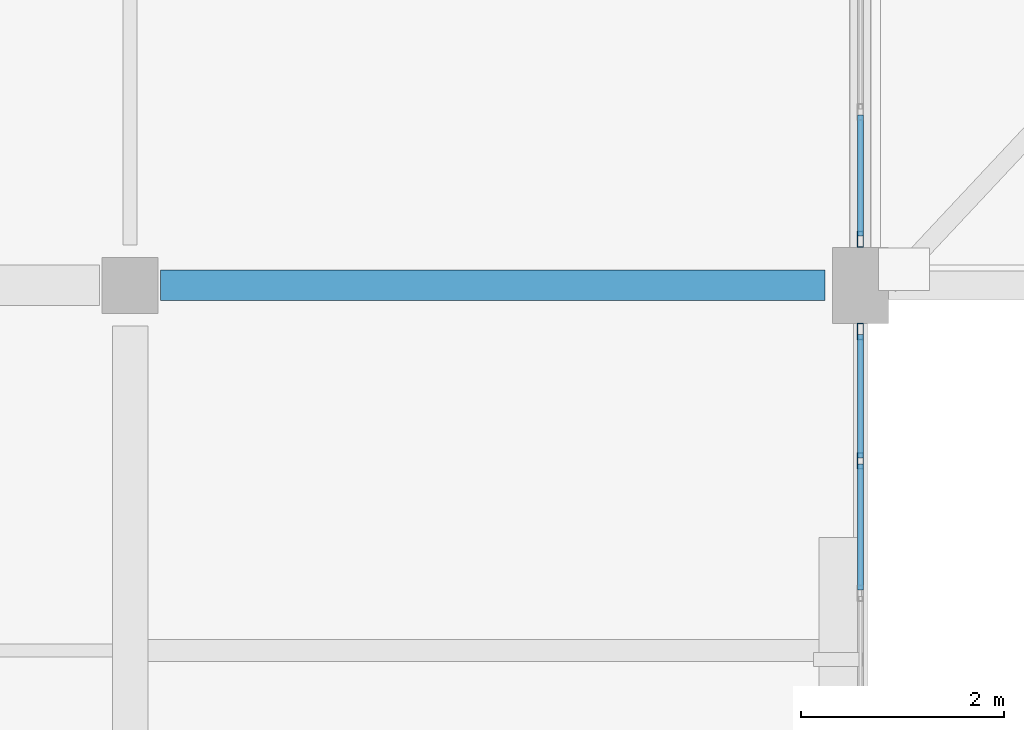
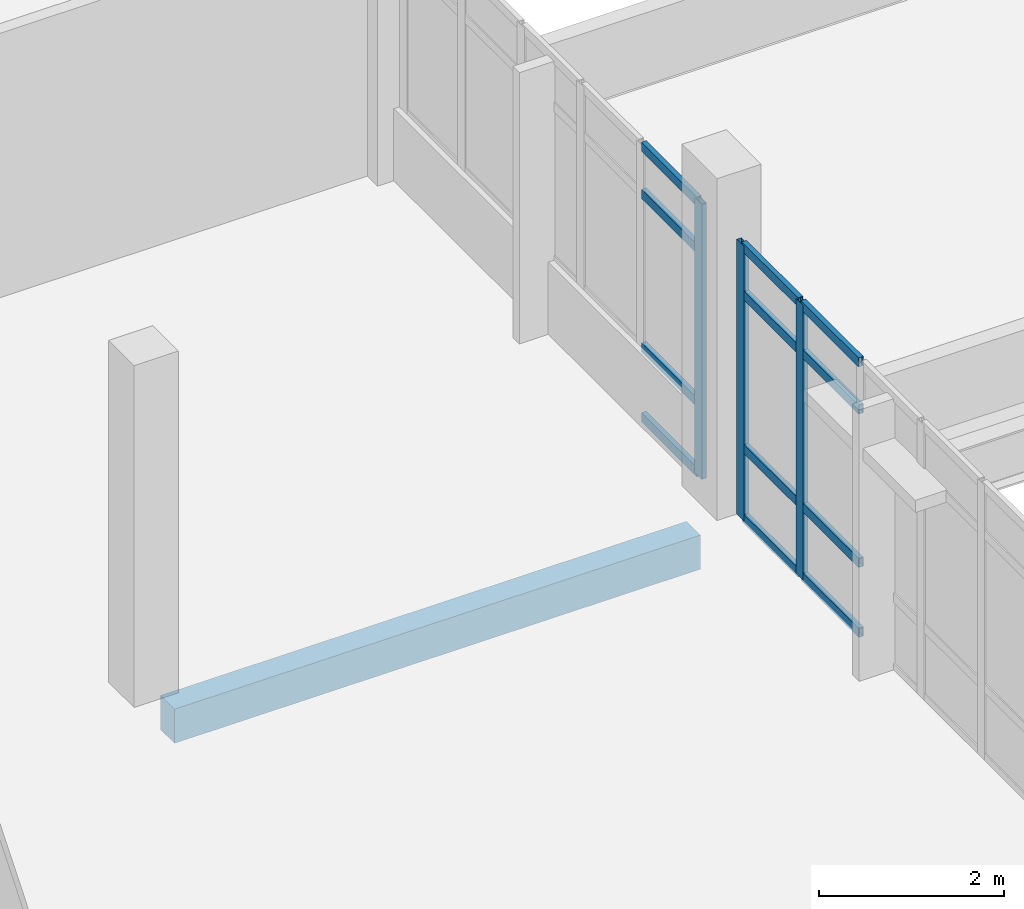
# One storey, part 8 of 87: 15 members, 1 beam, 2 elements without a shape of their own.
"""IFC4 building model written with IfcOpenShell, lengths in metres."""

from ifc_helpers import new_model, si_unit, direction, frame, origin, origin_2d, place, context, subcontext, project, spatial, rectangle, hollow_rectangle, extrude, material, material_profile, profile_set, type_object, element, aggregate, save


model = new_model("IFC4")

# Units and contexts
model_context = context("Model", 3, precision=1e-05, world=origin(), true_north=direction((0.0, 1.0)))
body_context = subcontext(model_context, "Body", "Model", "MODEL_VIEW")
ifc_project = project(units=[si_unit("LENGTHUNIT", "METRE"), si_unit("AREAUNIT", "SQUARE_METRE"), si_unit("VOLUMEUNIT", "CUBIC_METRE"), si_unit("PLANEANGLEUNIT", "RADIAN"), si_unit("MASSUNIT", "GRAM", prefix="KILO")], contexts=[model_context])

# Site, building, storey
site_placement = place(None, origin())
site = spatial("IfcSite", under=ifc_project, at=site_placement, CompositionType="ELEMENT")
building_placement = place(site_placement, origin())
building = spatial("IfcBuilding", under=site, at=building_placement, Name="Kalluvel Institute of Natural Sciences", CompositionType="ELEMENT")
storey_placement = place(building_placement, frame((0.0, 0.0, 18.89990234375)))
storey = spatial("IfcBuildingStorey", under=building, at=storey_placement, Name="L04", CompositionType="ELEMENT", Elevation=18.89990234375)

# Curtain wall, members
ifc_material_1 = material(Name="Aluminium AW-6063 T6", Category="aluminium")
curtain_wall_type = type_object("IfcCurtainWallType", Name="CW-DRY-45", PredefinedType="USERDEFINED", material=ifc_material_1)
curtain_wall_1_placement = place(storey_placement, origin())
curtain_wall_1 = element("IfcCurtainWall", 1, at=curtain_wall_1_placement, inside=storey, type_object=curtain_wall_type, Name="L04 Gothic lancet curtain wall CWA-L04-X356-Y214", ObjectType="UNITISED LANCET FACADE", PredefinedType="USERDEFINED")
ifc_material_profile_1 = material_profile(ifc_material_1, hollow_rectangle(XDim=0.06005859375, YDim=0.159912109375, WallThickness=0.00390625, at=origin_2d()), Name="CWM 60x160")
ifc_profile_set_1 = profile_set([ifc_material_profile_1], Name="Aluminium AW-6063 T6")
member_type_1 = type_object("IfcMemberType", Name="CWM-60x160", PredefinedType="MULLION", material=ifc_profile_set_1)
member_1_placement = place(storey_placement, frame((35.60009765625, 26.669921875, 0.0), z_axis=(0.0, 0.0, 1.0), x_axis=(-1.0, 0.0, 0.0)))
member_1 = element("IfcMember", 2, at=member_1_placement, type_object=member_type_1, Name="CW-03 mullion 5", PredefinedType="MULLION", context=body_context, shape_type="SweptSolid", body=[
    extrude(hollow_rectangle(XDim=0.06005859375, YDim=0.159912109375, WallThickness=0.00390625, at=origin_2d()), origin(), (0.0, 0.0, 1.0), 3.6201171875),
])
member_2_placement = place(storey_placement, frame((35.60009765625, 27.945068359375, 0.0), z_axis=(0.0, 0.0, 1.0), x_axis=(-1.0, 0.0, 0.0)))
member_2 = element("IfcMember", 3, at=member_2_placement, type_object=member_type_1, Name="CW-03 mullion 6", PredefinedType="MULLION", context=body_context, shape_type="SweptSolid", body=[
    extrude(hollow_rectangle(XDim=0.06005859375, YDim=0.159912109375, WallThickness=0.00390625, at=origin_2d()), origin(), (0.0, 0.0, 1.0), 3.6201171875),
])

# Curtain wall, member
curtain_wall_2_placement = place(storey_placement, origin())
curtain_wall_2 = element("IfcCurtainWall", 4, at=curtain_wall_2_placement, inside=storey, type_object=curtain_wall_type, Name="L04 Gothic lancet curtain wall CWA-L04-X356-Y288", ObjectType="UNITISED LANCET FACADE", PredefinedType="USERDEFINED")
member_3_placement = place(storey_placement, frame((35.60009765625, 28.85498046875, 0.0), z_axis=(0.0, 0.0, 1.0), x_axis=(-1.0, 0.0, 0.0)))
member_3 = element("IfcMember", 5, at=member_3_placement, type_object=member_type_1, Name="CW-03 mullion 1", PredefinedType="MULLION", context=body_context, shape_type="SweptSolid", body=[
    extrude(hollow_rectangle(XDim=0.06005859375, YDim=0.159912109375, WallThickness=0.00390625, at=origin_2d()), origin(), (0.0, 0.0, 1.0), 3.6201171875),
])

# Member
ifc_material_profile_2 = material_profile(ifc_material_1, hollow_rectangle(XDim=0.06005859375, YDim=0.1201171875, WallThickness=0.00390625, at=origin_2d()), Name="CWT 60x120")
ifc_profile_set_2 = profile_set([ifc_material_profile_2], Name="Aluminium AW-6063 T6")
member_type_2 = type_object("IfcMemberType", Name="CWT-60x120", PredefinedType="USERDEFINED", material=ifc_profile_set_2)
member_4_placement = place(storey_placement, frame((35.60009765625, 25.39501953125, 0.030029296875), z_axis=(0.0, 1.0, 0.0), x_axis=(-1.0, 0.0, 0.0)))
member_4 = element("IfcMember", 6, at=member_4_placement, type_object=member_type_2, Name="CW-03 transom 4.1", ObjectType="TRANSOM", PredefinedType="USERDEFINED", context=body_context, shape_type="SweptSolid", body=[
    extrude(hollow_rectangle(XDim=0.06005859375, YDim=0.1201171875, WallThickness=0.00390625, at=origin_2d()), origin(), (0.0, 0.0, 1.0), 1.244873046875),
])

member_5_placement = place(storey_placement, frame((35.60009765625, 25.39501953125, 0.9501953125), z_axis=(0.0, 1.0, 0.0), x_axis=(-1.0, 0.0, 0.0)))
member_5 = element("IfcMember", 7, at=member_5_placement, type_object=member_type_2, Name="CW-03 transom 4.2", ObjectType="TRANSOM", PredefinedType="USERDEFINED", context=body_context, shape_type="SweptSolid", body=[
    extrude(hollow_rectangle(XDim=0.06005859375, YDim=0.1201171875, WallThickness=0.00390625, at=origin_2d()), origin(), (0.0, 0.0, 1.0), 1.244873046875),
])

member_6_placement = place(storey_placement, frame((35.60009765625, 25.39501953125, 2.97021484375), z_axis=(0.0, 1.0, 0.0), x_axis=(-1.0, 0.0, 0.0)))
member_6 = element("IfcMember", 8, at=member_6_placement, type_object=member_type_2, Name="CW-03 transom 4.3", ObjectType="TRANSOM", PredefinedType="USERDEFINED", context=body_context, shape_type="SweptSolid", body=[
    extrude(hollow_rectangle(XDim=0.06005859375, YDim=0.1201171875, WallThickness=0.00390625, at=origin_2d()), origin(), (0.0, 0.0, 1.0), 1.244873046875),
])

member_7_placement = place(storey_placement, frame((35.60009765625, 25.39501953125, 3.590087890625), z_axis=(0.0, 1.0, 0.0), x_axis=(-1.0, 0.0, 0.0)))
member_7 = element("IfcMember", 9, at=member_7_placement, type_object=member_type_2, Name="CW-03 transom 4.4", ObjectType="TRANSOM", PredefinedType="USERDEFINED", context=body_context, shape_type="SweptSolid", body=[
    extrude(hollow_rectangle(XDim=0.06005859375, YDim=0.1201171875, WallThickness=0.00390625, at=origin_2d()), origin(), (0.0, 0.0, 1.0), 1.244873046875),
])

member_8_placement = place(storey_placement, frame((35.60009765625, 26.699951171875, 0.030029296875), z_axis=(0.0, 1.0, 0.0), x_axis=(-1.0, 0.0, 0.0)))
member_8 = element("IfcMember", 10, at=member_8_placement, type_object=member_type_2, Name="CW-03 transom 5.1", ObjectType="TRANSOM", PredefinedType="USERDEFINED", context=body_context, shape_type="SweptSolid", body=[
    extrude(hollow_rectangle(XDim=0.06005859375, YDim=0.1201171875, WallThickness=0.00390625, at=origin_2d()), origin(), (0.0, 0.0, 1.0), 1.215087890625),
])

member_9_placement = place(storey_placement, frame((35.60009765625, 26.699951171875, 0.9501953125), z_axis=(0.0, 1.0, 0.0), x_axis=(-1.0, 0.0, 0.0)))
member_9 = element("IfcMember", 11, at=member_9_placement, type_object=member_type_2, Name="CW-03 transom 5.2", ObjectType="TRANSOM", PredefinedType="USERDEFINED", context=body_context, shape_type="SweptSolid", body=[
    extrude(hollow_rectangle(XDim=0.06005859375, YDim=0.1201171875, WallThickness=0.00390625, at=origin_2d()), origin(), (0.0, 0.0, 1.0), 1.215087890625),
])

member_10_placement = place(storey_placement, frame((35.60009765625, 26.699951171875, 2.97021484375), z_axis=(0.0, 1.0, 0.0), x_axis=(-1.0, 0.0, 0.0)))
member_10 = element("IfcMember", 12, at=member_10_placement, type_object=member_type_2, Name="CW-03 transom 5.3", ObjectType="TRANSOM", PredefinedType="USERDEFINED", context=body_context, shape_type="SweptSolid", body=[
    extrude(hollow_rectangle(XDim=0.06005859375, YDim=0.1201171875, WallThickness=0.00390625, at=origin_2d()), origin(), (0.0, 0.0, 1.0), 1.215087890625),
])

member_11_placement = place(storey_placement, frame((35.60009765625, 26.699951171875, 3.590087890625), z_axis=(0.0, 1.0, 0.0), x_axis=(-1.0, 0.0, 0.0)))
member_11 = element("IfcMember", 13, at=member_11_placement, type_object=member_type_2, Name="CW-03 transom 5.4", ObjectType="TRANSOM", PredefinedType="USERDEFINED", context=body_context, shape_type="SweptSolid", body=[
    extrude(hollow_rectangle(XDim=0.06005859375, YDim=0.1201171875, WallThickness=0.00390625, at=origin_2d()), origin(), (0.0, 0.0, 1.0), 1.215087890625),
])

aggregate(curtain_wall_1, [member_1, member_2, member_4, member_5, member_6, member_7, member_8, member_9, member_10, member_11])

member_12_placement = place(storey_placement, frame((35.60009765625, 28.885009765625, 0.030029296875), z_axis=(0.0, 1.0, 0.0), x_axis=(-1.0, 0.0, 0.0)))
member_12 = element("IfcMember", 14, at=member_12_placement, type_object=member_type_2, Name="CW-03 transom 1.1", ObjectType="TRANSOM", PredefinedType="USERDEFINED", context=body_context, shape_type="SweptSolid", body=[
    extrude(hollow_rectangle(XDim=0.06005859375, YDim=0.1201171875, WallThickness=0.00390625, at=origin_2d()), origin(), (0.0, 0.0, 1.0), 1.195068359375),
])

member_13_placement = place(storey_placement, frame((35.60009765625, 28.885009765625, 0.9501953125), z_axis=(0.0, 1.0, 0.0), x_axis=(-1.0, 0.0, 0.0)))
member_13 = element("IfcMember", 15, at=member_13_placement, type_object=member_type_2, Name="CW-03 transom 1.2", ObjectType="TRANSOM", PredefinedType="USERDEFINED", context=body_context, shape_type="SweptSolid", body=[
    extrude(hollow_rectangle(XDim=0.06005859375, YDim=0.1201171875, WallThickness=0.00390625, at=origin_2d()), origin(), (0.0, 0.0, 1.0), 1.195068359375),
])

member_14_placement = place(storey_placement, frame((35.60009765625, 28.885009765625, 2.97021484375), z_axis=(0.0, 1.0, 0.0), x_axis=(-1.0, 0.0, 0.0)))
member_14 = element("IfcMember", 16, at=member_14_placement, type_object=member_type_2, Name="CW-03 transom 1.3", ObjectType="TRANSOM", PredefinedType="USERDEFINED", context=body_context, shape_type="SweptSolid", body=[
    extrude(hollow_rectangle(XDim=0.06005859375, YDim=0.1201171875, WallThickness=0.00390625, at=origin_2d()), origin(), (0.0, 0.0, 1.0), 1.195068359375),
])

member_15_placement = place(storey_placement, frame((35.60009765625, 28.885009765625, 3.590087890625), z_axis=(0.0, 1.0, 0.0), x_axis=(-1.0, 0.0, 0.0)))
member_15 = element("IfcMember", 17, at=member_15_placement, type_object=member_type_2, Name="CW-03 transom 1.4", ObjectType="TRANSOM", PredefinedType="USERDEFINED", context=body_context, shape_type="SweptSolid", body=[
    extrude(hollow_rectangle(XDim=0.06005859375, YDim=0.1201171875, WallThickness=0.00390625, at=origin_2d()), origin(), (0.0, 0.0, 1.0), 1.195068359375),
])

aggregate(curtain_wall_2, [member_3, member_12, member_13, member_14, member_15])

# Beam
ifc_material_2 = material(Name="Concrete M40", Category="concrete")
ifc_material_profile_3 = material_profile(ifc_material_2, rectangle(XDim=0.300048828125, YDim=0.449951171875, at=origin_2d()), Name="RCB 300x450")
ifc_profile_set_3 = profile_set([ifc_material_profile_3], Name="Concrete M40")
beam_type = type_object("IfcBeamType", Name="SP-RC300x450", PredefinedType="SPANDREL", material=ifc_profile_set_3)
beam_placement = place(storey_placement, frame((28.699951171875, 28.39990234375, -0.52490234375), z_axis=(1.0, 0.0, 0.0), x_axis=(0.0, 1.0, 0.0)))
element("IfcBeam", 18, at=beam_placement, inside=storey, type_object=beam_type, Name="L04 girder GIR-L04-EW-X284-Y284", PredefinedType="SPANDREL", context=body_context, shape_type="SweptSolid", body=[
    extrude(rectangle(XDim=0.300048828125, YDim=0.449951171875, at=origin_2d()), origin(), (0.0, 0.0, 1.0), 6.550048828125),
])

save(model, "model.ifc")
